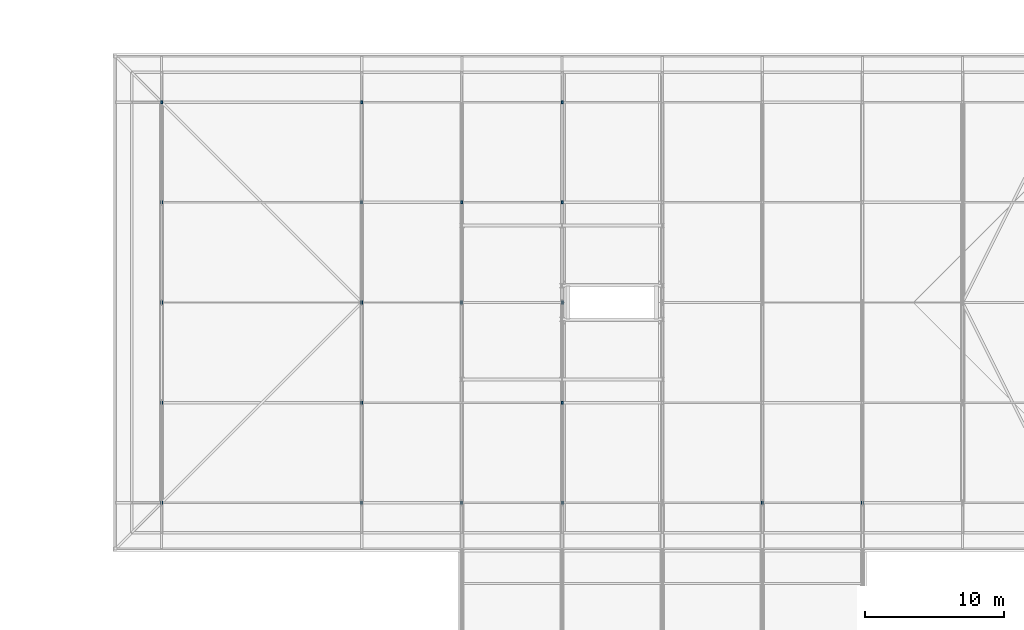
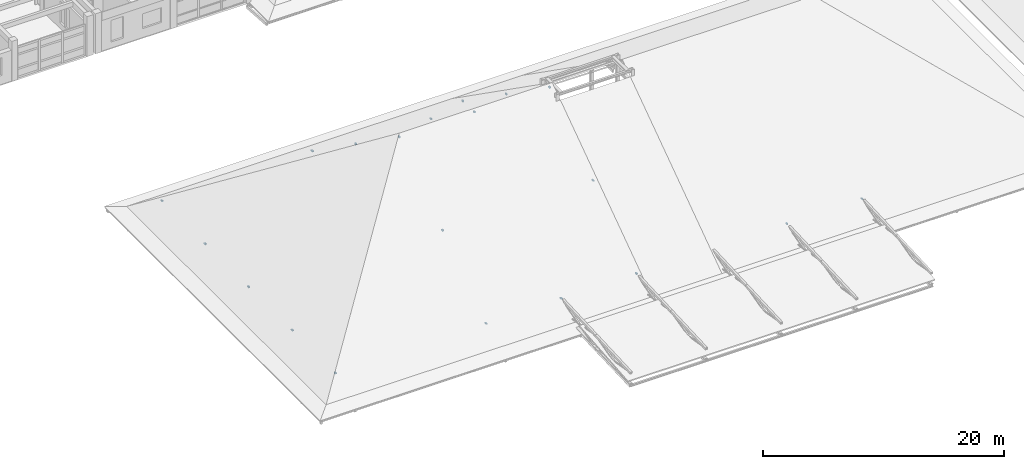
# One storey, part 41 of 100: 20 members.
"""IFC4 building model written with IfcOpenShell, lengths in metres."""

from ifc_helpers import new_model, si_unit, direction, frame, origin, origin_2d, place, context, subcontext, project, spatial, rectangle, extrude, material, material_profile, profile_set, type_object, element, save


model = new_model("IFC4")

# Units and contexts
model_context = context("Model", 3, precision=1e-05, world=origin(), true_north=direction((0.0, 1.0)))
body_context = subcontext(model_context, "Body", "Model", "MODEL_VIEW")
ifc_project = project(units=[si_unit("LENGTHUNIT", "METRE"), si_unit("AREAUNIT", "SQUARE_METRE"), si_unit("VOLUMEUNIT", "CUBIC_METRE"), si_unit("PLANEANGLEUNIT", "RADIAN"), si_unit("MASSUNIT", "GRAM", prefix="KILO")], contexts=[model_context])

# Site, building, storey
site_placement = place(None, origin())
site = spatial("IfcSite", under=ifc_project, at=site_placement, CompositionType="ELEMENT")
building_placement = place(site_placement, origin())
building = spatial("IfcBuilding", under=site, at=building_placement, Name="Steenspoor Specialist Clinic", CompositionType="ELEMENT")
storey_placement = place(building_placement, frame((0.0, 0.0, 9.0)))
storey = spatial("IfcBuildingStorey", under=building, at=storey_placement, Name="L02", CompositionType="ELEMENT", Elevation=9.0)

# Members
ifc_material = material(Name="Glulam GL28h", Category="wood")
ifc_material_profile = material_profile(ifc_material, rectangle(XDim=0.139892578125, YDim=0.219970703125, at=origin_2d()), Name="GL28H-140X220")
ifc_profile_set = profile_set([ifc_material_profile], Name="Glulam GL28h")
member_type = type_object("IfcMemberType", Name="MEM-RAFTER-GL220", PredefinedType="RAFTER", material=ifc_profile_set)
member_1_placement = place(storey_placement, frame((45.199951171875, 13.050048828125, 1.4873046875), z_axis=(0.0, 0.0, 1.0), x_axis=(1.0, 0.0, 0.0)))
element("IfcMember", 1, at=member_1_placement, inside=storey, type_object=member_type, Name="ROOF TRUSS Purlin Pack 43A", PredefinedType="RAFTER", context=body_context, shape_type="SweptSolid", body=[
    extrude(rectangle(XDim=0.139892578125, YDim=0.219970703125, at=origin_2d()), origin(), (0.0, 0.0, 1.0), 0.115966796875),
])
member_2_placement = place(storey_placement, frame((59.60009765625, 13.050048828125, 1.46484375), z_axis=(0.0, 0.0, 1.0), x_axis=(1.0, 0.0, 0.0)))
element("IfcMember", 2, at=member_2_placement, inside=storey, type_object=member_type, Name="ROOF TRUSS Purlin Pack 43B", PredefinedType="RAFTER", context=body_context, shape_type="SweptSolid", body=[
    extrude(rectangle(XDim=0.139892578125, YDim=0.219970703125, at=origin_2d()), origin(), (0.0, 0.0, 1.0), 0.138427734375),
])
member_3_placement = place(storey_placement, frame((45.199951171875, 20.25, 1.4873046875), z_axis=(0.0, 0.0, 1.0), x_axis=(1.0, 0.0, 0.0)))
element("IfcMember", 3, at=member_3_placement, inside=storey, type_object=member_type, Name="ROOF TRUSS Purlin Pack 44A", PredefinedType="RAFTER", context=body_context, shape_type="SweptSolid", body=[
    extrude(rectangle(XDim=0.139892578125, YDim=0.219970703125, at=origin_2d()), origin(), (0.0, 0.0, 1.0), 0.095458984375),
])
member_4_placement = place(storey_placement, frame((59.60009765625, 20.25, 6.5390625), z_axis=(0.0, 0.0, 1.0), x_axis=(1.0, 0.0, 0.0)))
element("IfcMember", 4, at=member_4_placement, inside=storey, type_object=member_type, Name="ROOF TRUSS Purlin Pack 44B", PredefinedType="RAFTER", context=body_context, shape_type="SweptSolid", body=[
    extrude(rectangle(XDim=0.139892578125, YDim=0.219970703125, at=origin_2d()), origin(), (0.0, 0.0, 1.0), 0.117919921875),
])
member_5_placement = place(storey_placement, frame((45.199951171875, 27.449951171875, 1.4873046875), z_axis=(0.0, 0.0, 1.0), x_axis=(1.0, 0.0, 0.0)))
element("IfcMember", 5, at=member_5_placement, inside=storey, type_object=member_type, Name="ROOF TRUSS Purlin Pack 45A", PredefinedType="RAFTER", context=body_context, shape_type="SweptSolid", body=[
    extrude(rectangle(XDim=0.139892578125, YDim=0.219970703125, at=origin_2d()), origin(), (0.0, 0.0, 1.0), 0.119873046875),
])
member_6_placement = place(storey_placement, frame((59.60009765625, 27.449951171875, 11.613037109375), z_axis=(0.0, 0.0, 1.0), x_axis=(1.0, 0.0, 0.0)))
element("IfcMember", 6, at=member_6_placement, inside=storey, type_object=member_type, Name="ROOF TRUSS Purlin Pack 45B", PredefinedType="RAFTER", context=body_context, shape_type="SweptSolid", body=[
    extrude(rectangle(XDim=0.139892578125, YDim=0.219970703125, at=origin_2d()), origin(), (0.0, 0.0, 1.0), 0.142333984375),
])
member_7_placement = place(storey_placement, frame((45.199951171875, 34.64990234375, 1.4873046875), z_axis=(0.0, 0.0, 1.0), x_axis=(1.0, 0.0, 0.0)))
element("IfcMember", 7, at=member_7_placement, inside=storey, type_object=member_type, Name="ROOF TRUSS Purlin Pack 46A", PredefinedType="RAFTER", context=body_context, shape_type="SweptSolid", body=[
    extrude(rectangle(XDim=0.139892578125, YDim=0.219970703125, at=origin_2d()), origin(), (0.0, 0.0, 1.0), 0.115966796875),
])
member_8_placement = place(storey_placement, frame((59.60009765625, 34.64990234375, 6.5390625), z_axis=(0.0, 0.0, 1.0), x_axis=(1.0, 0.0, 0.0)))
element("IfcMember", 8, at=member_8_placement, inside=storey, type_object=member_type, Name="ROOF TRUSS Purlin Pack 46B", PredefinedType="RAFTER", context=body_context, shape_type="SweptSolid", body=[
    extrude(rectangle(XDim=0.139892578125, YDim=0.219970703125, at=origin_2d()), origin(), (0.0, 0.0, 1.0), 0.138427734375),
])
member_9_placement = place(storey_placement, frame((45.199951171875, 41.85009765625, 1.4873046875), z_axis=(0.0, 0.0, 1.0), x_axis=(1.0, 0.0, 0.0)))
element("IfcMember", 9, at=member_9_placement, inside=storey, type_object=member_type, Name="ROOF TRUSS Purlin Pack 47A", PredefinedType="RAFTER", context=body_context, shape_type="SweptSolid", body=[
    extrude(rectangle(XDim=0.139892578125, YDim=0.219970703125, at=origin_2d()), origin(), (0.0, 0.0, 1.0), 0.095458984375),
])
member_10_placement = place(storey_placement, frame((59.60009765625, 41.85009765625, 1.46484375), z_axis=(0.0, 0.0, 1.0), x_axis=(1.0, 0.0, 0.0)))
element("IfcMember", 10, at=member_10_placement, inside=storey, type_object=member_type, Name="ROOF TRUSS Purlin Pack 47B", PredefinedType="RAFTER", context=body_context, shape_type="SweptSolid", body=[
    extrude(rectangle(XDim=0.139892578125, YDim=0.219970703125, at=origin_2d()), origin(), (0.0, 0.0, 1.0), 0.117919921875),
])
for number, where, z_axis, x_axis, name in (
    (11, (66.800048828125, 13.050048828125, 1.5126953125), (0.0, 0.0, 1.0), (1.0, 0.0, 0.0), "ROOF TRUSS Purlin Pack 48B"),
    (12, (66.800048828125, 34.64990234375, 6.5869140625), (0.0, 0.0, 1.0), (1.0, 0.0, 0.0), "ROOF TRUSS Purlin Pack 51B"),
):
    element("IfcMember", number, at=place(storey_placement, frame(where, z_axis=z_axis, x_axis=x_axis)), inside=storey, type_object=member_type, Name=name, PredefinedType="RAFTER", context=body_context, shape_type="SweptSolid", body=[
        extrude(rectangle(XDim=0.139892578125, YDim=0.219970703125, at=origin_2d()), origin(), (0.0, 0.0, 1.0), 0.08740234375),
    ])
member_11_placement = place(storey_placement, frame((74.0, 13.050048828125, 1.46484375), z_axis=(0.0, 0.0, 1.0), x_axis=(1.0, 0.0, 0.0)))
element("IfcMember", 13, at=member_11_placement, inside=storey, type_object=member_type, Name="ROOF TRUSS Purlin Pack 53B", PredefinedType="RAFTER", context=body_context, shape_type="SweptSolid", body=[
    extrude(rectangle(XDim=0.139892578125, YDim=0.219970703125, at=origin_2d()), origin(), (0.0, 0.0, 1.0), 0.142333984375),
])
member_12_placement = place(storey_placement, frame((74.0, 20.25, 6.5390625), z_axis=(0.0, 0.0, 1.0), x_axis=(1.0, 0.0, 0.0)))
element("IfcMember", 14, at=member_12_placement, inside=storey, type_object=member_type, Name="ROOF TRUSS Purlin Pack 54B", PredefinedType="RAFTER", context=body_context, shape_type="SweptSolid", body=[
    extrude(rectangle(XDim=0.139892578125, YDim=0.219970703125, at=origin_2d()), origin(), (0.0, 0.0, 1.0), 0.138427734375),
])
member_13_placement = place(storey_placement, frame((66.800048828125, 27.449951171875, 11.660888671875), z_axis=(0.0, 0.0, 1.0), x_axis=(1.0, 0.0, 0.0)))
element("IfcMember", 15, at=member_13_placement, inside=storey, type_object=member_type, Name="ROOF TRUSS Purlin Pack 55A", PredefinedType="RAFTER", context=body_context, shape_type="SweptSolid", body=[
    extrude(rectangle(XDim=0.139892578125, YDim=0.219970703125, at=origin_2d()), origin(), (0.0, 0.0, 1.0), 0.08740234375),
])
member_14_placement = place(storey_placement, frame((74.0, 27.449951171875, 11.613037109375), z_axis=(0.0, 0.0, 1.0), x_axis=(1.0, 0.0, 0.0)))
element("IfcMember", 16, at=member_14_placement, inside=storey, type_object=member_type, Name="ROOF TRUSS Purlin Pack 55B", PredefinedType="RAFTER", context=body_context, shape_type="SweptSolid", body=[
    extrude(rectangle(XDim=0.139892578125, YDim=0.219970703125, at=origin_2d()), origin(), (0.0, 0.0, 1.0), 0.117919921875),
])
member_15_placement = place(storey_placement, frame((74.0, 34.64990234375, 6.5390625), z_axis=(0.0, 0.0, 1.0), x_axis=(1.0, 0.0, 0.0)))
element("IfcMember", 17, at=member_15_placement, inside=storey, type_object=member_type, Name="ROOF TRUSS Purlin Pack 56B", PredefinedType="RAFTER", context=body_context, shape_type="SweptSolid", body=[
    extrude(rectangle(XDim=0.139892578125, YDim=0.219970703125, at=origin_2d()), origin(), (0.0, 0.0, 1.0), 0.14208984375),
])
member_16_placement = place(storey_placement, frame((74.0, 41.85009765625, 1.46484375), z_axis=(0.0, 0.0, 1.0), x_axis=(1.0, 0.0, 0.0)))
element("IfcMember", 18, at=member_16_placement, inside=storey, type_object=member_type, Name="ROOF TRUSS Purlin Pack 57B", PredefinedType="RAFTER", context=body_context, shape_type="SweptSolid", body=[
    extrude(rectangle(XDim=0.139892578125, YDim=0.219970703125, at=origin_2d()), origin(), (0.0, 0.0, 1.0), 0.138427734375),
])
member_17_placement = place(storey_placement, frame((88.39990234375, 13.050048828125, 1.46484375), z_axis=(0.0, 0.0, 1.0), x_axis=(1.0, 0.0, 0.0)))
element("IfcMember", 19, at=member_17_placement, inside=storey, type_object=member_type, Name="ROOF TRUSS Purlin Pack 62B", PredefinedType="RAFTER", context=body_context, shape_type="SweptSolid", body=[
    extrude(rectangle(XDim=0.139892578125, YDim=0.219970703125, at=origin_2d()), origin(), (0.0, 0.0, 1.0), 0.142333984375),
])
member_18_placement = place(storey_placement, frame((95.60009765625, 13.050048828125, 1.5126953125), z_axis=(0.0, 0.0, 1.0), x_axis=(1.0, 0.0, 0.0)))
element("IfcMember", 20, at=member_18_placement, inside=storey, type_object=member_type, Name="ROOF TRUSS Purlin Pack 72A", PredefinedType="RAFTER", context=body_context, shape_type="SweptSolid", body=[
    extrude(rectangle(XDim=0.139892578125, YDim=0.219970703125, at=origin_2d()), origin(), (0.0, 0.0, 1.0), 0.08740234375),
])

save(model, "model.ifc")
